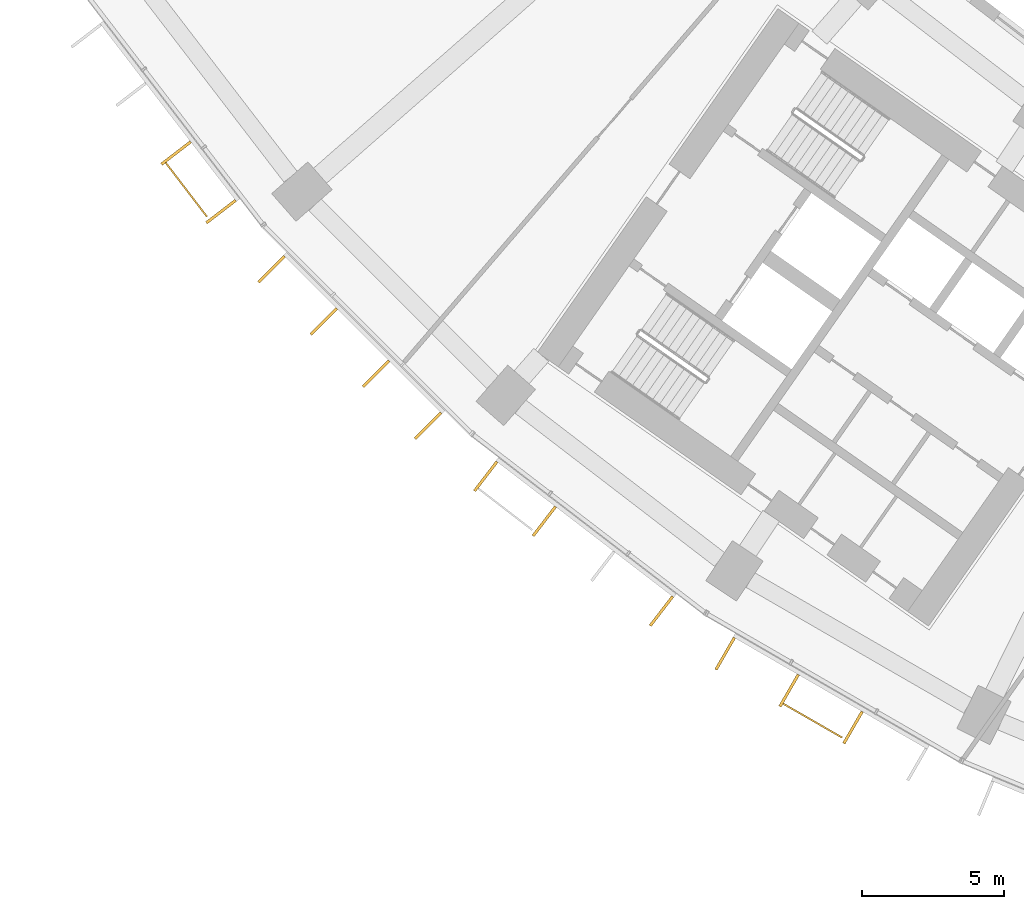
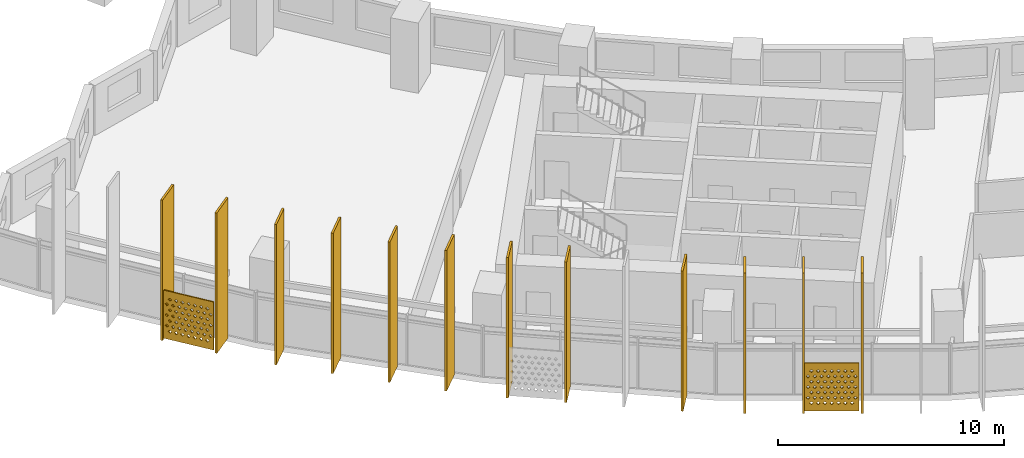
# One storey, part 25 of 32: 14 shading devices.
"""IFC4 building model written with IfcOpenShell, lengths in metres."""

import ifcopenshell
import ifcopenshell.guid

model = None  # the IFC model being written
_history = None  # IfcOwnerHistory: only IFC2X3 demands one
_inside = {}  # id of a spatial element -> (the spatial element, [elements in it])
_under = {}  # id of a project, library or spatial element -> (it, [spatial elements below it])
_declared = {}  # id of a project -> (the project, [libraries it declares])
_typed = {}  # id of a type object -> (the type object, [elements of that type])
_made_of = {}  # id of a material, layer set ... -> (it, [elements and type objects made of it])


def new_model(schema):
    """Start an empty IFC model of exactly this schema.

    Asked for "IFC4X3", IfcOpenShell would pick the latest addendum, in which some entities
    have other attributes; the version numbers below select the first issue.
    IFC2X3 requires an IfcOwnerHistory on every rooted entity: one is made here for all.
    """
    global model, _history
    if schema == "IFC4X3":
        model = ifcopenshell.file(schema_version=(4, 3, 0, 0))
    else:
        model = ifcopenshell.file(schema=schema)
    _inside.clear()
    _under.clear()
    _declared.clear()
    _typed.clear()
    _made_of.clear()
    _history = None
    if model.schema == "IFC2X3":
        org = make("IfcOrganization", Name="unknown")
        user = make(
            "IfcPersonAndOrganization",
            ThePerson=make("IfcPerson", FamilyName="unknown"),
            TheOrganization=org,
        )
        app = make(
            "IfcApplication",
            ApplicationDeveloper=org,
            Version="unknown",
            ApplicationFullName="unknown",
            ApplicationIdentifier="unknown",
        )
        _history = make(
            "IfcOwnerHistory",
            OwningUser=user,
            OwningApplication=app,
            ChangeAction="ADDED",
            CreationDate=0,
        )
    return model


def make(cls, **values):
    """One entity of the class cls with the attributes given. An attribute that is None is left unset."""
    return model.create_entity(
        cls, **{name: value for name, value in values.items() if value is not None}
    )


def rooted(cls, **values):
    """An entity with a GlobalId (a new one), such as an element, a storey or a relation."""
    return make(cls, GlobalId=ifcopenshell.guid.new(), OwnerHistory=_history, **values)


def si_unit(unit_type, name, prefix=None):
    """IfcSIUnit, for example si_unit("LENGTHUNIT", "METRE", prefix="MILLI")."""
    return make("IfcSIUnit", UnitType=unit_type, Prefix=prefix, Name=name)


def assignment(units):
    """IfcUnitAssignment: the units of a project."""
    return None if units is None else make("IfcUnitAssignment", Units=units)


def point(xyz):
    """IfcCartesianPoint."""
    return None if xyz is None else make("IfcCartesianPoint", Coordinates=xyz)


def direction(xyz):
    """IfcDirection."""
    return None if xyz is None else make("IfcDirection", DirectionRatios=xyz)


def frame(location, z_axis=None, x_axis=None):
    """IfcAxis2Placement3D, a coordinate frame: its origin and axes. An axis left out is left unset."""
    return make(
        "IfcAxis2Placement3D",
        Location=point(location),
        Axis=direction(z_axis),
        RefDirection=direction(x_axis),
    )


def frame_2d(location, x_axis=None):
    """IfcAxis2Placement2D, a coordinate frame in the plane: its origin and x axis."""
    return make(
        "IfcAxis2Placement2D", Location=point(location), RefDirection=direction(x_axis)
    )


def origin():
    """The frame at (0, 0, 0) with its axes left unset."""
    return frame((0.0, 0.0, 0.0))


def origin_2d():
    """The frame at (0, 0) in the plane with its x axis left unset."""
    return frame_2d((0.0, 0.0))


def place(relative_to, where):
    """IfcLocalPlacement: puts the frame where relative to a parent placement (None: the world)."""
    return make(
        "IfcLocalPlacement", PlacementRelTo=relative_to, RelativePlacement=where
    )


def context(
    kind, dimensions, precision=None, world=None, true_north=None, identifier=None
):
    """IfcGeometricRepresentationContext, for example the 3D "Model" context."""
    return make(
        "IfcGeometricRepresentationContext",
        ContextIdentifier=identifier,
        ContextType=kind,
        CoordinateSpaceDimension=dimensions,
        Precision=precision,
        WorldCoordinateSystem=world,
        TrueNorth=true_north,
    )


def subcontext(parent, identifier, kind, view, scale=None):
    """IfcGeometricRepresentationSubContext, for example "Body" below "Model"."""
    return make(
        "IfcGeometricRepresentationSubContext",
        ContextIdentifier=identifier,
        ContextType=kind,
        ParentContext=parent,
        TargetScale=scale,
        TargetView=view,
    )


def project(units=None, contexts=None):
    """IfcProject with its units and contexts."""
    return rooted(
        "IfcProject",
        Name="project",
        RepresentationContexts=contexts,
        UnitsInContext=assignment(units),
    )


def spatial(cls, under=None, at=None, **own):
    """A site, building, storey or space (cls), placed at a placement, below another one or the project."""
    s = rooted(cls, ObjectPlacement=at, **own)
    if under is not None:
        _under.setdefault(under.id(), (under, []))[1].append(s)
    return s


def polyline(points):
    """IfcPolyline through the points."""
    return make("IfcPolyline", Points=[point(p) for p in points])


def profile(cls, at=None, kind="AREA", **sizes):
    """A parametric profile (cls). Its sizes go by their IFC names, for example OverallWidth=200.0."""
    return make(cls, ProfileType=kind, Position=at, **sizes)


def rectangle(**sizes):
    """IfcRectangleProfileDef."""
    return profile("IfcRectangleProfileDef", **sizes)


def outline(outer, holes=None, kind="AREA"):
    """IfcArbitraryClosedProfileDef: a profile drawn as a closed curve; with holes, ...WithVoids."""
    if holes is None:
        return make("IfcArbitraryClosedProfileDef", ProfileType=kind, OuterCurve=outer)
    return make(
        "IfcArbitraryProfileDefWithVoids",
        ProfileType=kind,
        OuterCurve=outer,
        InnerCurves=holes,
    )


def extrude(swept, where, along, depth):
    """IfcExtrudedAreaSolid: the profile swept, set in the frame where, extruded along a direction by depth."""
    return make(
        "IfcExtrudedAreaSolid",
        SweptArea=swept,
        Position=where,
        ExtrudedDirection=direction(along),
        Depth=depth,
    )


def shape(context_of_items, identifier, shape_type, items):
    """IfcShapeRepresentation: the items that make up one representation, for example the "Body"."""
    return make(
        "IfcShapeRepresentation",
        ContextOfItems=context_of_items,
        RepresentationIdentifier=identifier,
        RepresentationType=shape_type,
        Items=items,
    )


def material(Name=None, Category=None):
    """IfcMaterial."""
    return make("IfcMaterial", Name=Name, Category=Category)


def material_profile(
    of_material, cross_section, Name=None, Category=None, Priority=None
):
    """IfcMaterialProfile: a cross section and its material."""
    return make(
        "IfcMaterialProfile",
        Name=Name,
        Material=of_material,
        Profile=cross_section,
        Priority=Priority,
        Category=Category,
    )


def profile_set(profiles, Name=None, composite=None):
    """IfcMaterialProfileSet."""
    return make(
        "IfcMaterialProfileSet",
        Name=Name,
        MaterialProfiles=profiles,
        CompositeProfile=composite,
    )


def made_of(thing, what):
    """Note that an element or type object is made of a material, layer set ...; save() writes the relation."""
    if what is not None:
        _made_of.setdefault(what.id(), (what, []))[1].append(thing)
    return thing


def type_object(cls, material=None, **own):
    """A type object (cls), such as IfcWallType, which elements share."""
    return made_of(rooted(cls, **own), material)


def element(
    cls,
    number,
    at=None,
    inside=None,
    cuts=None,
    type_object=None,
    material=None,
    context=None,
    identifier="Body",
    shape_type=None,
    held_by="IfcProductDefinitionShape",
    body=None,
    shapes=None,
    **own,
):
    """One element of the class cls, such as IfcWall. Its Tag is "e" and its number.

    at: its placement. inside: the storey or other place that contains it. cuts: it is an
    opening in that element (IfcRelVoidsElement). A single representation is given by context,
    identifier, shape_type and body (its items); several are given by shapes. held_by: the class
    of the entity that holds the representations. save() writes the other relations.
    """
    e = rooted(cls, Tag="e%d" % number, ObjectPlacement=at, **own)
    if body is not None:
        shapes = [shape(context, identifier, shape_type, body)]
    if shapes is not None:
        e.Representation = make(held_by, Representations=shapes)
    if inside is not None:
        _inside.setdefault(inside.id(), (inside, []))[1].append(e)
    if cuts is not None:
        rooted(
            "IfcRelVoidsElement", RelatingBuildingElement=cuts, RelatedOpeningElement=e
        )
    if type_object is not None:
        _typed.setdefault(type_object.id(), (type_object, []))[1].append(e)
    return made_of(e, material)


def aggregate(whole, parts):
    """IfcRelAggregates: a whole, such as a stair, and the parts it consists of."""
    return rooted("IfcRelAggregates", RelatingObject=whole, RelatedObjects=parts)


def save(model, path):
    """Write the relations noted so far, then the file.

    IfcRelAggregates (storeys below a building ...), IfcRelContainedInSpatialStructure (elements
    in a storey), IfcRelDefinesByType, IfcRelAssociatesMaterial and IfcRelDeclares: one each for
    every whole, place, type object, material and project.
    """
    for whole, parts in _under.values():
        aggregate(whole, parts)
    for where, things in _inside.values():
        rooted(
            "IfcRelContainedInSpatialStructure",
            RelatedElements=things,
            RelatingStructure=where,
        )
    for kind, things in _typed.values():
        rooted("IfcRelDefinesByType", RelatedObjects=things, RelatingType=kind)
    for what, things in _made_of.values():
        rooted("IfcRelAssociatesMaterial", RelatedObjects=things, RelatingMaterial=what)
    for by, libraries in _declared.values():
        rooted("IfcRelDeclares", RelatingContext=by, RelatedDefinitions=libraries)
    model.write(path)


model = new_model("IFC4")

# Units and contexts
model_context = context("Model", 3, precision=1e-05, world=origin(), true_north=direction((0.0, 1.0)))
body_context = subcontext(model_context, "Body", "Model", "MODEL_VIEW")
ifc_project = project(units=[si_unit("LENGTHUNIT", "METRE"), si_unit("AREAUNIT", "SQUARE_METRE"), si_unit("VOLUMEUNIT", "CUBIC_METRE"), si_unit("PLANEANGLEUNIT", "RADIAN"), si_unit("MASSUNIT", "GRAM", prefix="KILO")], contexts=[model_context])

# Site, building, storey
site_placement = place(None, origin())
site = spatial("IfcSite", under=ifc_project, at=site_placement, CompositionType="ELEMENT")
building_placement = place(site_placement, origin())
building = spatial("IfcBuilding", under=site, at=building_placement, Name="Qamariyya Broadcast Tower", CompositionType="ELEMENT")
storey_placement = place(building_placement, frame((0.0, 0.0, 63.300048828125)))
storey = spatial("IfcBuildingStorey", under=building, at=storey_placement, Name="L12", CompositionType="ELEMENT", Elevation=63.300048828125)

# Shading devices
ifc_material_1 = material(Name="Perforated glazed terracotta", Category="masonry")
ifc_material_profile_1 = material_profile(ifc_material_1, outline(polyline([(-1.199951171875, -1.300048828125), (1.199951171875, -1.300048828125), (1.199951171875, 1.300048828125), (-1.199951171875, 1.300048828125), (-1.199951171875, -1.300048828125)]), holes=[polyline([(-0.81494140625, -0.86669921875), (-0.89990234375, -0.78173828125), (-0.985107421875, -0.86669921875), (-0.89990234375, -0.95166015625), (-0.81494140625, -0.86669921875)]), polyline([(-0.514892578125, -0.86669921875), (-0.60009765625, -0.78173828125), (-0.68505859375, -0.86669921875), (-0.60009765625, -0.95166015625), (-0.514892578125, -0.86669921875)]), polyline([(-0.215087890625, -0.86669921875), (-0.300048828125, -0.78173828125), (-0.385009765625, -0.86669921875), (-0.300048828125, -0.95166015625), (-0.215087890625, -0.86669921875)]), polyline([(0.0849609375, -0.86669921875), (0.0, -0.78173828125), (-0.0849609375, -0.86669921875), (0.0, -0.95166015625), (0.0849609375, -0.86669921875)]), polyline([(0.385009765625, -0.86669921875), (0.300048828125, -0.78173828125), (0.215087890625, -0.86669921875), (0.300048828125, -0.95166015625), (0.385009765625, -0.86669921875)]), polyline([(0.68505859375, -0.86669921875), (0.60009765625, -0.78173828125), (0.514892578125, -0.86669921875), (0.60009765625, -0.95166015625), (0.68505859375, -0.86669921875)]), polyline([(0.985107421875, -0.86669921875), (0.89990234375, -0.78173828125), (0.81494140625, -0.86669921875), (0.89990234375, -0.95166015625), (0.985107421875, -0.86669921875)]), polyline([(-0.965087890625, -0.577880859375), (-1.050048828125, -0.49267578125), (-1.135009765625, -0.577880859375), (-1.050048828125, -0.662841796875), (-0.965087890625, -0.577880859375)]), polyline([(-0.6650390625, -0.577880859375), (-0.75, -0.49267578125), (-0.8349609375, -0.577880859375), (-0.75, -0.662841796875), (-0.6650390625, -0.577880859375)]), polyline([(-0.364990234375, -0.577880859375), (-0.449951171875, -0.49267578125), (-0.534912109375, -0.577880859375), (-0.449951171875, -0.662841796875), (-0.364990234375, -0.577880859375)]), polyline([(-0.06494140625, -0.577880859375), (-0.14990234375, -0.49267578125), (-0.235107421875, -0.577880859375), (-0.14990234375, -0.662841796875), (-0.06494140625, -0.577880859375)]), polyline([(0.235107421875, -0.577880859375), (0.14990234375, -0.49267578125), (0.06494140625, -0.577880859375), (0.14990234375, -0.662841796875), (0.235107421875, -0.577880859375)]), polyline([(0.534912109375, -0.577880859375), (0.449951171875, -0.49267578125), (0.364990234375, -0.577880859375), (0.449951171875, -0.662841796875), (0.534912109375, -0.577880859375)]), polyline([(0.8349609375, -0.577880859375), (0.75, -0.49267578125), (0.6650390625, -0.577880859375), (0.75, -0.662841796875), (0.8349609375, -0.577880859375)]), polyline([(1.135009765625, -0.577880859375), (1.050048828125, -0.49267578125), (0.965087890625, -0.577880859375), (1.050048828125, -0.662841796875), (1.135009765625, -0.577880859375)]), polyline([(-0.81494140625, -0.288818359375), (-0.89990234375, -0.203857421875), (-0.985107421875, -0.288818359375), (-0.89990234375, -0.373779296875), (-0.81494140625, -0.288818359375)]), polyline([(-0.514892578125, -0.288818359375), (-0.60009765625, -0.203857421875), (-0.68505859375, -0.288818359375), (-0.60009765625, -0.373779296875), (-0.514892578125, -0.288818359375)]), polyline([(-0.215087890625, -0.288818359375), (-0.300048828125, -0.203857421875), (-0.385009765625, -0.288818359375), (-0.300048828125, -0.373779296875), (-0.215087890625, -0.288818359375)]), polyline([(0.0849609375, -0.288818359375), (0.0, -0.203857421875), (-0.0849609375, -0.288818359375), (0.0, -0.373779296875), (0.0849609375, -0.288818359375)]), polyline([(0.385009765625, -0.288818359375), (0.300048828125, -0.203857421875), (0.215087890625, -0.288818359375), (0.300048828125, -0.373779296875), (0.385009765625, -0.288818359375)]), polyline([(0.68505859375, -0.288818359375), (0.60009765625, -0.203857421875), (0.514892578125, -0.288818359375), (0.60009765625, -0.373779296875), (0.68505859375, -0.288818359375)]), polyline([(0.985107421875, -0.288818359375), (0.89990234375, -0.203857421875), (0.81494140625, -0.288818359375), (0.89990234375, -0.373779296875), (0.985107421875, -0.288818359375)]), polyline([(-0.965087890625, 0.0), (-1.050048828125, 0.0849609375), (-1.135009765625, 0.0), (-1.050048828125, -0.0849609375), (-0.965087890625, 0.0)]), polyline([(-0.6650390625, 0.0), (-0.75, 0.0849609375), (-0.8349609375, 0.0), (-0.75, -0.0849609375), (-0.6650390625, 0.0)]), polyline([(-0.364990234375, 0.0), (-0.449951171875, 0.0849609375), (-0.534912109375, 0.0), (-0.449951171875, -0.0849609375), (-0.364990234375, 0.0)]), polyline([(-0.06494140625, 0.0), (-0.14990234375, 0.0849609375), (-0.235107421875, 0.0), (-0.14990234375, -0.0849609375), (-0.06494140625, 0.0)]), polyline([(0.235107421875, 0.0), (0.14990234375, 0.0849609375), (0.06494140625, 0.0), (0.14990234375, -0.0849609375), (0.235107421875, 0.0)]), polyline([(0.534912109375, 0.0), (0.449951171875, 0.0849609375), (0.364990234375, 0.0), (0.449951171875, -0.0849609375), (0.534912109375, 0.0)]), polyline([(0.8349609375, 0.0), (0.75, 0.0849609375), (0.6650390625, 0.0), (0.75, -0.0849609375), (0.8349609375, 0.0)]), polyline([(1.135009765625, 0.0), (1.050048828125, 0.0849609375), (0.965087890625, 0.0), (1.050048828125, -0.0849609375), (1.135009765625, 0.0)]), polyline([(-0.81494140625, 0.288818359375), (-0.89990234375, 0.373779296875), (-0.985107421875, 0.288818359375), (-0.89990234375, 0.203857421875), (-0.81494140625, 0.288818359375)]), polyline([(-0.514892578125, 0.288818359375), (-0.60009765625, 0.373779296875), (-0.68505859375, 0.288818359375), (-0.60009765625, 0.203857421875), (-0.514892578125, 0.288818359375)]), polyline([(-0.215087890625, 0.288818359375), (-0.300048828125, 0.373779296875), (-0.385009765625, 0.288818359375), (-0.300048828125, 0.203857421875), (-0.215087890625, 0.288818359375)]), polyline([(0.0849609375, 0.288818359375), (0.0, 0.373779296875), (-0.0849609375, 0.288818359375), (0.0, 0.203857421875), (0.0849609375, 0.288818359375)]), polyline([(0.385009765625, 0.288818359375), (0.300048828125, 0.373779296875), (0.215087890625, 0.288818359375), (0.300048828125, 0.203857421875), (0.385009765625, 0.288818359375)]), polyline([(0.68505859375, 0.288818359375), (0.60009765625, 0.373779296875), (0.514892578125, 0.288818359375), (0.60009765625, 0.203857421875), (0.68505859375, 0.288818359375)]), polyline([(0.985107421875, 0.288818359375), (0.89990234375, 0.373779296875), (0.81494140625, 0.288818359375), (0.89990234375, 0.203857421875), (0.985107421875, 0.288818359375)]), polyline([(-0.965087890625, 0.577880859375), (-1.050048828125, 0.662841796875), (-1.135009765625, 0.577880859375), (-1.050048828125, 0.49267578125), (-0.965087890625, 0.577880859375)]), polyline([(-0.6650390625, 0.577880859375), (-0.75, 0.662841796875), (-0.8349609375, 0.577880859375), (-0.75, 0.49267578125), (-0.6650390625, 0.577880859375)]), polyline([(-0.364990234375, 0.577880859375), (-0.449951171875, 0.662841796875), (-0.534912109375, 0.577880859375), (-0.449951171875, 0.49267578125), (-0.364990234375, 0.577880859375)]), polyline([(-0.06494140625, 0.577880859375), (-0.14990234375, 0.662841796875), (-0.235107421875, 0.577880859375), (-0.14990234375, 0.49267578125), (-0.06494140625, 0.577880859375)]), polyline([(0.235107421875, 0.577880859375), (0.14990234375, 0.662841796875), (0.06494140625, 0.577880859375), (0.14990234375, 0.49267578125), (0.235107421875, 0.577880859375)]), polyline([(0.534912109375, 0.577880859375), (0.449951171875, 0.662841796875), (0.364990234375, 0.577880859375), (0.449951171875, 0.49267578125), (0.534912109375, 0.577880859375)]), polyline([(0.8349609375, 0.577880859375), (0.75, 0.662841796875), (0.6650390625, 0.577880859375), (0.75, 0.49267578125), (0.8349609375, 0.577880859375)]), polyline([(1.135009765625, 0.577880859375), (1.050048828125, 0.662841796875), (0.965087890625, 0.577880859375), (1.050048828125, 0.49267578125), (1.135009765625, 0.577880859375)]), polyline([(-0.81494140625, 0.86669921875), (-0.89990234375, 0.95166015625), (-0.985107421875, 0.86669921875), (-0.89990234375, 0.78173828125), (-0.81494140625, 0.86669921875)]), polyline([(-0.514892578125, 0.86669921875), (-0.60009765625, 0.95166015625), (-0.68505859375, 0.86669921875), (-0.60009765625, 0.78173828125), (-0.514892578125, 0.86669921875)]), polyline([(-0.215087890625, 0.86669921875), (-0.300048828125, 0.95166015625), (-0.385009765625, 0.86669921875), (-0.300048828125, 0.78173828125), (-0.215087890625, 0.86669921875)]), polyline([(0.0849609375, 0.86669921875), (0.0, 0.95166015625), (-0.0849609375, 0.86669921875), (0.0, 0.78173828125), (0.0849609375, 0.86669921875)]), polyline([(0.385009765625, 0.86669921875), (0.300048828125, 0.95166015625), (0.215087890625, 0.86669921875), (0.300048828125, 0.78173828125), (0.385009765625, 0.86669921875)]), polyline([(0.68505859375, 0.86669921875), (0.60009765625, 0.95166015625), (0.514892578125, 0.86669921875), (0.60009765625, 0.78173828125), (0.68505859375, 0.86669921875)]), polyline([(0.985107421875, 0.86669921875), (0.89990234375, 0.95166015625), (0.81494140625, 0.86669921875), (0.89990234375, 0.78173828125), (0.985107421875, 0.86669921875)])]))
ifc_profile_set_1 = profile_set([ifc_material_profile_1], Name="Perforated glazed terracotta")
shading_device_type_1 = type_object("IfcShadingDeviceType", Name="Perforated terracotta screen 2400 x 2600", PredefinedType="USERDEFINED", material=ifc_profile_set_1)
shading_device_1_placement = place(storey_placement, frame((-62.509033203125, -51.18212890625, 1.349853515625), z_axis=(-0.794589096806, -0.607147566278, 0.0), x_axis=(0.607147566278, -0.794589096806, 0.0)))
element("IfcShadingDevice", 1, at=shading_device_1_placement, inside=storey, type_object=shading_device_type_1, Name="e-scr-L12-01-2", ObjectType="SCREEN", PredefinedType="USERDEFINED", context=body_context, shape_type="SweptSolid", body=[
    extrude(outline(polyline([(-1.199951171875, -1.300048828125), (1.199951171875, -1.300048828125), (1.199951171875, 1.300048828125), (-1.199951171875, 1.300048828125), (-1.199951171875, -1.300048828125)]), holes=[polyline([(-0.81494140625, -0.86669921875), (-0.89990234375, -0.78173828125), (-0.985107421875, -0.86669921875), (-0.89990234375, -0.95166015625), (-0.81494140625, -0.86669921875)]), polyline([(-0.514892578125, -0.86669921875), (-0.60009765625, -0.78173828125), (-0.68505859375, -0.86669921875), (-0.60009765625, -0.95166015625), (-0.514892578125, -0.86669921875)]), polyline([(-0.215087890625, -0.86669921875), (-0.300048828125, -0.78173828125), (-0.385009765625, -0.86669921875), (-0.300048828125, -0.95166015625), (-0.215087890625, -0.86669921875)]), polyline([(0.0849609375, -0.86669921875), (0.0, -0.78173828125), (-0.0849609375, -0.86669921875), (0.0, -0.95166015625), (0.0849609375, -0.86669921875)]), polyline([(0.385009765625, -0.86669921875), (0.300048828125, -0.78173828125), (0.215087890625, -0.86669921875), (0.300048828125, -0.95166015625), (0.385009765625, -0.86669921875)]), polyline([(0.68505859375, -0.86669921875), (0.60009765625, -0.78173828125), (0.514892578125, -0.86669921875), (0.60009765625, -0.95166015625), (0.68505859375, -0.86669921875)]), polyline([(0.985107421875, -0.86669921875), (0.89990234375, -0.78173828125), (0.81494140625, -0.86669921875), (0.89990234375, -0.95166015625), (0.985107421875, -0.86669921875)]), polyline([(-0.965087890625, -0.577880859375), (-1.050048828125, -0.49267578125), (-1.135009765625, -0.577880859375), (-1.050048828125, -0.662841796875), (-0.965087890625, -0.577880859375)]), polyline([(-0.6650390625, -0.577880859375), (-0.75, -0.49267578125), (-0.8349609375, -0.577880859375), (-0.75, -0.662841796875), (-0.6650390625, -0.577880859375)]), polyline([(-0.364990234375, -0.577880859375), (-0.449951171875, -0.49267578125), (-0.534912109375, -0.577880859375), (-0.449951171875, -0.662841796875), (-0.364990234375, -0.577880859375)]), polyline([(-0.06494140625, -0.577880859375), (-0.14990234375, -0.49267578125), (-0.235107421875, -0.577880859375), (-0.14990234375, -0.662841796875), (-0.06494140625, -0.577880859375)]), polyline([(0.235107421875, -0.577880859375), (0.14990234375, -0.49267578125), (0.06494140625, -0.577880859375), (0.14990234375, -0.662841796875), (0.235107421875, -0.577880859375)]), polyline([(0.534912109375, -0.577880859375), (0.449951171875, -0.49267578125), (0.364990234375, -0.577880859375), (0.449951171875, -0.662841796875), (0.534912109375, -0.577880859375)]), polyline([(0.8349609375, -0.577880859375), (0.75, -0.49267578125), (0.6650390625, -0.577880859375), (0.75, -0.662841796875), (0.8349609375, -0.577880859375)]), polyline([(1.135009765625, -0.577880859375), (1.050048828125, -0.49267578125), (0.965087890625, -0.577880859375), (1.050048828125, -0.662841796875), (1.135009765625, -0.577880859375)]), polyline([(-0.81494140625, -0.288818359375), (-0.89990234375, -0.203857421875), (-0.985107421875, -0.288818359375), (-0.89990234375, -0.373779296875), (-0.81494140625, -0.288818359375)]), polyline([(-0.514892578125, -0.288818359375), (-0.60009765625, -0.203857421875), (-0.68505859375, -0.288818359375), (-0.60009765625, -0.373779296875), (-0.514892578125, -0.288818359375)]), polyline([(-0.215087890625, -0.288818359375), (-0.300048828125, -0.203857421875), (-0.385009765625, -0.288818359375), (-0.300048828125, -0.373779296875), (-0.215087890625, -0.288818359375)]), polyline([(0.0849609375, -0.288818359375), (0.0, -0.203857421875), (-0.0849609375, -0.288818359375), (0.0, -0.373779296875), (0.0849609375, -0.288818359375)]), polyline([(0.385009765625, -0.288818359375), (0.300048828125, -0.203857421875), (0.215087890625, -0.288818359375), (0.300048828125, -0.373779296875), (0.385009765625, -0.288818359375)]), polyline([(0.68505859375, -0.288818359375), (0.60009765625, -0.203857421875), (0.514892578125, -0.288818359375), (0.60009765625, -0.373779296875), (0.68505859375, -0.288818359375)]), polyline([(0.985107421875, -0.288818359375), (0.89990234375, -0.203857421875), (0.81494140625, -0.288818359375), (0.89990234375, -0.373779296875), (0.985107421875, -0.288818359375)]), polyline([(-0.965087890625, 0.0), (-1.050048828125, 0.0849609375), (-1.135009765625, 0.0), (-1.050048828125, -0.0849609375), (-0.965087890625, 0.0)]), polyline([(-0.6650390625, 0.0), (-0.75, 0.0849609375), (-0.8349609375, 0.0), (-0.75, -0.0849609375), (-0.6650390625, 0.0)]), polyline([(-0.364990234375, 0.0), (-0.449951171875, 0.0849609375), (-0.534912109375, 0.0), (-0.449951171875, -0.0849609375), (-0.364990234375, 0.0)]), polyline([(-0.06494140625, 0.0), (-0.14990234375, 0.0849609375), (-0.235107421875, 0.0), (-0.14990234375, -0.0849609375), (-0.06494140625, 0.0)]), polyline([(0.235107421875, 0.0), (0.14990234375, 0.0849609375), (0.06494140625, 0.0), (0.14990234375, -0.0849609375), (0.235107421875, 0.0)]), polyline([(0.534912109375, 0.0), (0.449951171875, 0.0849609375), (0.364990234375, 0.0), (0.449951171875, -0.0849609375), (0.534912109375, 0.0)]), polyline([(0.8349609375, 0.0), (0.75, 0.0849609375), (0.6650390625, 0.0), (0.75, -0.0849609375), (0.8349609375, 0.0)]), polyline([(1.135009765625, 0.0), (1.050048828125, 0.0849609375), (0.965087890625, 0.0), (1.050048828125, -0.0849609375), (1.135009765625, 0.0)]), polyline([(-0.81494140625, 0.288818359375), (-0.89990234375, 0.373779296875), (-0.985107421875, 0.288818359375), (-0.89990234375, 0.203857421875), (-0.81494140625, 0.288818359375)]), polyline([(-0.514892578125, 0.288818359375), (-0.60009765625, 0.373779296875), (-0.68505859375, 0.288818359375), (-0.60009765625, 0.203857421875), (-0.514892578125, 0.288818359375)]), polyline([(-0.215087890625, 0.288818359375), (-0.300048828125, 0.373779296875), (-0.385009765625, 0.288818359375), (-0.300048828125, 0.203857421875), (-0.215087890625, 0.288818359375)]), polyline([(0.0849609375, 0.288818359375), (0.0, 0.373779296875), (-0.0849609375, 0.288818359375), (0.0, 0.203857421875), (0.0849609375, 0.288818359375)]), polyline([(0.385009765625, 0.288818359375), (0.300048828125, 0.373779296875), (0.215087890625, 0.288818359375), (0.300048828125, 0.203857421875), (0.385009765625, 0.288818359375)]), polyline([(0.68505859375, 0.288818359375), (0.60009765625, 0.373779296875), (0.514892578125, 0.288818359375), (0.60009765625, 0.203857421875), (0.68505859375, 0.288818359375)]), polyline([(0.985107421875, 0.288818359375), (0.89990234375, 0.373779296875), (0.81494140625, 0.288818359375), (0.89990234375, 0.203857421875), (0.985107421875, 0.288818359375)]), polyline([(-0.965087890625, 0.577880859375), (-1.050048828125, 0.662841796875), (-1.135009765625, 0.577880859375), (-1.050048828125, 0.49267578125), (-0.965087890625, 0.577880859375)]), polyline([(-0.6650390625, 0.577880859375), (-0.75, 0.662841796875), (-0.8349609375, 0.577880859375), (-0.75, 0.49267578125), (-0.6650390625, 0.577880859375)]), polyline([(-0.364990234375, 0.577880859375), (-0.449951171875, 0.662841796875), (-0.534912109375, 0.577880859375), (-0.449951171875, 0.49267578125), (-0.364990234375, 0.577880859375)]), polyline([(-0.06494140625, 0.577880859375), (-0.14990234375, 0.662841796875), (-0.235107421875, 0.577880859375), (-0.14990234375, 0.49267578125), (-0.06494140625, 0.577880859375)]), polyline([(0.235107421875, 0.577880859375), (0.14990234375, 0.662841796875), (0.06494140625, 0.577880859375), (0.14990234375, 0.49267578125), (0.235107421875, 0.577880859375)]), polyline([(0.534912109375, 0.577880859375), (0.449951171875, 0.662841796875), (0.364990234375, 0.577880859375), (0.449951171875, 0.49267578125), (0.534912109375, 0.577880859375)]), polyline([(0.8349609375, 0.577880859375), (0.75, 0.662841796875), (0.6650390625, 0.577880859375), (0.75, 0.49267578125), (0.8349609375, 0.577880859375)]), polyline([(1.135009765625, 0.577880859375), (1.050048828125, 0.662841796875), (0.965087890625, 0.577880859375), (1.050048828125, 0.49267578125), (1.135009765625, 0.577880859375)]), polyline([(-0.81494140625, 0.86669921875), (-0.89990234375, 0.95166015625), (-0.985107421875, 0.86669921875), (-0.89990234375, 0.78173828125), (-0.81494140625, 0.86669921875)]), polyline([(-0.514892578125, 0.86669921875), (-0.60009765625, 0.95166015625), (-0.68505859375, 0.86669921875), (-0.60009765625, 0.78173828125), (-0.514892578125, 0.86669921875)]), polyline([(-0.215087890625, 0.86669921875), (-0.300048828125, 0.95166015625), (-0.385009765625, 0.86669921875), (-0.300048828125, 0.78173828125), (-0.215087890625, 0.86669921875)]), polyline([(0.0849609375, 0.86669921875), (0.0, 0.95166015625), (-0.0849609375, 0.86669921875), (0.0, 0.78173828125), (0.0849609375, 0.86669921875)]), polyline([(0.385009765625, 0.86669921875), (0.300048828125, 0.95166015625), (0.215087890625, 0.86669921875), (0.300048828125, 0.78173828125), (0.385009765625, 0.86669921875)]), polyline([(0.68505859375, 0.86669921875), (0.60009765625, 0.95166015625), (0.514892578125, 0.86669921875), (0.60009765625, 0.78173828125), (0.68505859375, 0.86669921875)]), polyline([(0.985107421875, 0.86669921875), (0.89990234375, 0.95166015625), (0.81494140625, 0.86669921875), (0.89990234375, 0.78173828125), (0.985107421875, 0.86669921875)])]), origin(), (0.0, 0.0, 1.0), 0.059814453125),
])
shading_device_2_placement = place(storey_placement, frame((-40.420166015625, -69.905029296875, 1.349853515625), z_axis=(-0.498778343083, -0.866729579783, 0.0), x_axis=(0.866729579783, -0.498778343083, 0.0)))
element("IfcShadingDevice", 2, at=shading_device_2_placement, inside=storey, type_object=shading_device_type_1, Name="e-scr-L12-04-1", ObjectType="SCREEN", PredefinedType="USERDEFINED", context=body_context, shape_type="SweptSolid", body=[
    extrude(outline(polyline([(-1.199951171875, -1.300048828125), (1.199951171875, -1.300048828125), (1.199951171875, 1.300048828125), (-1.199951171875, 1.300048828125), (-1.199951171875, -1.300048828125)]), holes=[polyline([(-0.81494140625, -0.86669921875), (-0.89990234375, -0.78173828125), (-0.985107421875, -0.86669921875), (-0.89990234375, -0.95166015625), (-0.81494140625, -0.86669921875)]), polyline([(-0.514892578125, -0.86669921875), (-0.60009765625, -0.78173828125), (-0.68505859375, -0.86669921875), (-0.60009765625, -0.95166015625), (-0.514892578125, -0.86669921875)]), polyline([(-0.215087890625, -0.86669921875), (-0.300048828125, -0.78173828125), (-0.385009765625, -0.86669921875), (-0.300048828125, -0.95166015625), (-0.215087890625, -0.86669921875)]), polyline([(0.0849609375, -0.86669921875), (0.0, -0.78173828125), (-0.0849609375, -0.86669921875), (0.0, -0.95166015625), (0.0849609375, -0.86669921875)]), polyline([(0.385009765625, -0.86669921875), (0.300048828125, -0.78173828125), (0.215087890625, -0.86669921875), (0.300048828125, -0.95166015625), (0.385009765625, -0.86669921875)]), polyline([(0.68505859375, -0.86669921875), (0.60009765625, -0.78173828125), (0.514892578125, -0.86669921875), (0.60009765625, -0.95166015625), (0.68505859375, -0.86669921875)]), polyline([(0.985107421875, -0.86669921875), (0.89990234375, -0.78173828125), (0.81494140625, -0.86669921875), (0.89990234375, -0.95166015625), (0.985107421875, -0.86669921875)]), polyline([(-0.965087890625, -0.577880859375), (-1.050048828125, -0.49267578125), (-1.135009765625, -0.577880859375), (-1.050048828125, -0.662841796875), (-0.965087890625, -0.577880859375)]), polyline([(-0.6650390625, -0.577880859375), (-0.75, -0.49267578125), (-0.8349609375, -0.577880859375), (-0.75, -0.662841796875), (-0.6650390625, -0.577880859375)]), polyline([(-0.364990234375, -0.577880859375), (-0.449951171875, -0.49267578125), (-0.534912109375, -0.577880859375), (-0.449951171875, -0.662841796875), (-0.364990234375, -0.577880859375)]), polyline([(-0.06494140625, -0.577880859375), (-0.14990234375, -0.49267578125), (-0.235107421875, -0.577880859375), (-0.14990234375, -0.662841796875), (-0.06494140625, -0.577880859375)]), polyline([(0.235107421875, -0.577880859375), (0.14990234375, -0.49267578125), (0.06494140625, -0.577880859375), (0.14990234375, -0.662841796875), (0.235107421875, -0.577880859375)]), polyline([(0.534912109375, -0.577880859375), (0.449951171875, -0.49267578125), (0.364990234375, -0.577880859375), (0.449951171875, -0.662841796875), (0.534912109375, -0.577880859375)]), polyline([(0.8349609375, -0.577880859375), (0.75, -0.49267578125), (0.6650390625, -0.577880859375), (0.75, -0.662841796875), (0.8349609375, -0.577880859375)]), polyline([(1.135009765625, -0.577880859375), (1.050048828125, -0.49267578125), (0.965087890625, -0.577880859375), (1.050048828125, -0.662841796875), (1.135009765625, -0.577880859375)]), polyline([(-0.81494140625, -0.288818359375), (-0.89990234375, -0.203857421875), (-0.985107421875, -0.288818359375), (-0.89990234375, -0.373779296875), (-0.81494140625, -0.288818359375)]), polyline([(-0.514892578125, -0.288818359375), (-0.60009765625, -0.203857421875), (-0.68505859375, -0.288818359375), (-0.60009765625, -0.373779296875), (-0.514892578125, -0.288818359375)]), polyline([(-0.215087890625, -0.288818359375), (-0.300048828125, -0.203857421875), (-0.385009765625, -0.288818359375), (-0.300048828125, -0.373779296875), (-0.215087890625, -0.288818359375)]), polyline([(0.0849609375, -0.288818359375), (0.0, -0.203857421875), (-0.0849609375, -0.288818359375), (0.0, -0.373779296875), (0.0849609375, -0.288818359375)]), polyline([(0.385009765625, -0.288818359375), (0.300048828125, -0.203857421875), (0.215087890625, -0.288818359375), (0.300048828125, -0.373779296875), (0.385009765625, -0.288818359375)]), polyline([(0.68505859375, -0.288818359375), (0.60009765625, -0.203857421875), (0.514892578125, -0.288818359375), (0.60009765625, -0.373779296875), (0.68505859375, -0.288818359375)]), polyline([(0.985107421875, -0.288818359375), (0.89990234375, -0.203857421875), (0.81494140625, -0.288818359375), (0.89990234375, -0.373779296875), (0.985107421875, -0.288818359375)]), polyline([(-0.965087890625, 0.0), (-1.050048828125, 0.0849609375), (-1.135009765625, 0.0), (-1.050048828125, -0.0849609375), (-0.965087890625, 0.0)]), polyline([(-0.6650390625, 0.0), (-0.75, 0.0849609375), (-0.8349609375, 0.0), (-0.75, -0.0849609375), (-0.6650390625, 0.0)]), polyline([(-0.364990234375, 0.0), (-0.449951171875, 0.0849609375), (-0.534912109375, 0.0), (-0.449951171875, -0.0849609375), (-0.364990234375, 0.0)]), polyline([(-0.06494140625, 0.0), (-0.14990234375, 0.0849609375), (-0.235107421875, 0.0), (-0.14990234375, -0.0849609375), (-0.06494140625, 0.0)]), polyline([(0.235107421875, 0.0), (0.14990234375, 0.0849609375), (0.06494140625, 0.0), (0.14990234375, -0.0849609375), (0.235107421875, 0.0)]), polyline([(0.534912109375, 0.0), (0.449951171875, 0.0849609375), (0.364990234375, 0.0), (0.449951171875, -0.0849609375), (0.534912109375, 0.0)]), polyline([(0.8349609375, 0.0), (0.75, 0.0849609375), (0.6650390625, 0.0), (0.75, -0.0849609375), (0.8349609375, 0.0)]), polyline([(1.135009765625, 0.0), (1.050048828125, 0.0849609375), (0.965087890625, 0.0), (1.050048828125, -0.0849609375), (1.135009765625, 0.0)]), polyline([(-0.81494140625, 0.288818359375), (-0.89990234375, 0.373779296875), (-0.985107421875, 0.288818359375), (-0.89990234375, 0.203857421875), (-0.81494140625, 0.288818359375)]), polyline([(-0.514892578125, 0.288818359375), (-0.60009765625, 0.373779296875), (-0.68505859375, 0.288818359375), (-0.60009765625, 0.203857421875), (-0.514892578125, 0.288818359375)]), polyline([(-0.215087890625, 0.288818359375), (-0.300048828125, 0.373779296875), (-0.385009765625, 0.288818359375), (-0.300048828125, 0.203857421875), (-0.215087890625, 0.288818359375)]), polyline([(0.0849609375, 0.288818359375), (0.0, 0.373779296875), (-0.0849609375, 0.288818359375), (0.0, 0.203857421875), (0.0849609375, 0.288818359375)]), polyline([(0.385009765625, 0.288818359375), (0.300048828125, 0.373779296875), (0.215087890625, 0.288818359375), (0.300048828125, 0.203857421875), (0.385009765625, 0.288818359375)]), polyline([(0.68505859375, 0.288818359375), (0.60009765625, 0.373779296875), (0.514892578125, 0.288818359375), (0.60009765625, 0.203857421875), (0.68505859375, 0.288818359375)]), polyline([(0.985107421875, 0.288818359375), (0.89990234375, 0.373779296875), (0.81494140625, 0.288818359375), (0.89990234375, 0.203857421875), (0.985107421875, 0.288818359375)]), polyline([(-0.965087890625, 0.577880859375), (-1.050048828125, 0.662841796875), (-1.135009765625, 0.577880859375), (-1.050048828125, 0.49267578125), (-0.965087890625, 0.577880859375)]), polyline([(-0.6650390625, 0.577880859375), (-0.75, 0.662841796875), (-0.8349609375, 0.577880859375), (-0.75, 0.49267578125), (-0.6650390625, 0.577880859375)]), polyline([(-0.364990234375, 0.577880859375), (-0.449951171875, 0.662841796875), (-0.534912109375, 0.577880859375), (-0.449951171875, 0.49267578125), (-0.364990234375, 0.577880859375)]), polyline([(-0.06494140625, 0.577880859375), (-0.14990234375, 0.662841796875), (-0.235107421875, 0.577880859375), (-0.14990234375, 0.49267578125), (-0.06494140625, 0.577880859375)]), polyline([(0.235107421875, 0.577880859375), (0.14990234375, 0.662841796875), (0.06494140625, 0.577880859375), (0.14990234375, 0.49267578125), (0.235107421875, 0.577880859375)]), polyline([(0.534912109375, 0.577880859375), (0.449951171875, 0.662841796875), (0.364990234375, 0.577880859375), (0.449951171875, 0.49267578125), (0.534912109375, 0.577880859375)]), polyline([(0.8349609375, 0.577880859375), (0.75, 0.662841796875), (0.6650390625, 0.577880859375), (0.75, 0.49267578125), (0.8349609375, 0.577880859375)]), polyline([(1.135009765625, 0.577880859375), (1.050048828125, 0.662841796875), (0.965087890625, 0.577880859375), (1.050048828125, 0.49267578125), (1.135009765625, 0.577880859375)]), polyline([(-0.81494140625, 0.86669921875), (-0.89990234375, 0.95166015625), (-0.985107421875, 0.86669921875), (-0.89990234375, 0.78173828125), (-0.81494140625, 0.86669921875)]), polyline([(-0.514892578125, 0.86669921875), (-0.60009765625, 0.95166015625), (-0.68505859375, 0.86669921875), (-0.60009765625, 0.78173828125), (-0.514892578125, 0.86669921875)]), polyline([(-0.215087890625, 0.86669921875), (-0.300048828125, 0.95166015625), (-0.385009765625, 0.86669921875), (-0.300048828125, 0.78173828125), (-0.215087890625, 0.86669921875)]), polyline([(0.0849609375, 0.86669921875), (0.0, 0.95166015625), (-0.0849609375, 0.86669921875), (0.0, 0.78173828125), (0.0849609375, 0.86669921875)]), polyline([(0.385009765625, 0.86669921875), (0.300048828125, 0.95166015625), (0.215087890625, 0.86669921875), (0.300048828125, 0.78173828125), (0.385009765625, 0.86669921875)]), polyline([(0.68505859375, 0.86669921875), (0.60009765625, 0.95166015625), (0.514892578125, 0.86669921875), (0.60009765625, 0.78173828125), (0.68505859375, 0.86669921875)]), polyline([(0.985107421875, 0.86669921875), (0.89990234375, 0.95166015625), (0.81494140625, 0.86669921875), (0.89990234375, 0.78173828125), (0.985107421875, 0.86669921875)])]), origin(), (0.0, 0.0, 1.0), 0.059814453125),
])
ifc_material_2 = material(Name="Glazed terracotta", Category="masonry")
ifc_material_profile_2 = material_profile(ifc_material_2, rectangle(XDim=1.300048828125, YDim=0.10009765625, at=origin_2d()))
ifc_profile_set_2 = profile_set([ifc_material_profile_2], Name="Glazed terracotta")
shading_device_type_2 = type_object("IfcShadingDeviceType", Name="Terracotta fin 100 x 1300", PredefinedType="USERDEFINED", material=ifc_profile_set_2)
for number, where, z_axis, x_axis, name in (
    (3, (-62.897216796875, -49.904296875, 0.0), (0.0, 0.0, 1.0), (-0.793353340291, -0.608761429009, 0.0), "e-fin-L12-01-2"),
    (4, (-61.3115234375, -51.970703125, 0.0), (0.0, 0.0, 1.0), (-0.793353340291, -0.608761429009, 0.0), "e-fin-L12-01-3"),
    (5, (-59.52880859375, -54.00341796875, 0.0), (0.0, 0.0, 1.0), (-0.707106781187, -0.707106781187, 0.0), "e-fin-L12-02-0"),
    (6, (-57.68701171875, -55.84521484375, 0.0), (0.0, 0.0, 1.0), (-0.707106781187, -0.707106781187, 0.0), "e-fin-L12-02-1"),
    (7, (-55.84521484375, -57.68701171875, 0.0), (0.0, 0.0, 1.0), (-0.707106781187, -0.707106781187, 0.0), "e-fin-L12-02-2"),
    (8, (-54.00341796875, -59.52880859375, 0.0), (0.0, 0.0, 1.0), (-0.707106781187, -0.707106781187, 0.0), "e-fin-L12-02-3"),
    (9, (-51.970703125, -61.3115234375, 0.0), (0.0, 0.0, 1.0), (-0.608761429009, -0.793353340291, 0.0), "e-fin-L12-03-0"),
    (10, (-49.904296875, -62.897216796875, 0.0), (0.0, 0.0, 1.0), (-0.608761429009, -0.793353340291, 0.0), "e-fin-L12-03-1"),
    (11, (-45.771484375, -66.068359375, 0.0), (0.0, 0.0, 1.0), (-0.608761429009, -0.793353340291, 0.0), "e-fin-L12-03-3"),
    (12, (-43.523193359375, -67.570556640625, 0.0), (0.0, 0.0, 1.0), (-0.5, -0.866025403784, 0.0), "e-fin-L12-04-0"),
    (13, (-41.267578125, -68.872802734375, 0.0), (0.0, 0.0, 1.0), (-0.5, -0.866025403784, 0.0), "e-fin-L12-04-1"),
    (14, (-39.011962890625, -70.17529296875, 0.0), (0.0, 0.0, 1.0), (-0.5, -0.866025403784, 0.0), "e-fin-L12-04-2"),
):
    element("IfcShadingDevice", number, at=place(storey_placement, frame(where, z_axis=z_axis, x_axis=x_axis)), inside=storey, type_object=shading_device_type_2, Name=name, ObjectType="FIN", PredefinedType="USERDEFINED", context=body_context, shape_type="SweptSolid", body=[
        extrude(rectangle(XDim=1.300048828125, YDim=0.10009765625, at=origin_2d()), origin(), (0.0, 0.0, 1.0), 7.599853515625),
    ])

save(model, "model.ifc")
